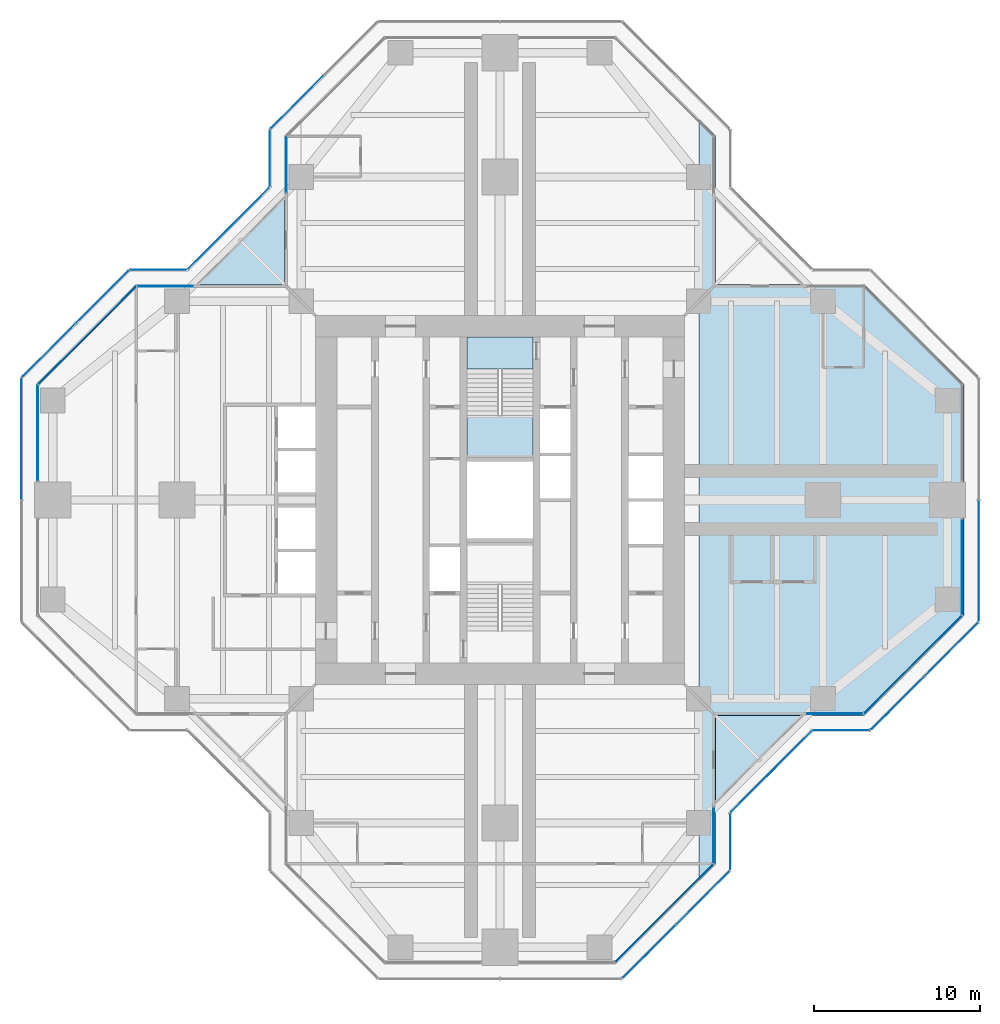
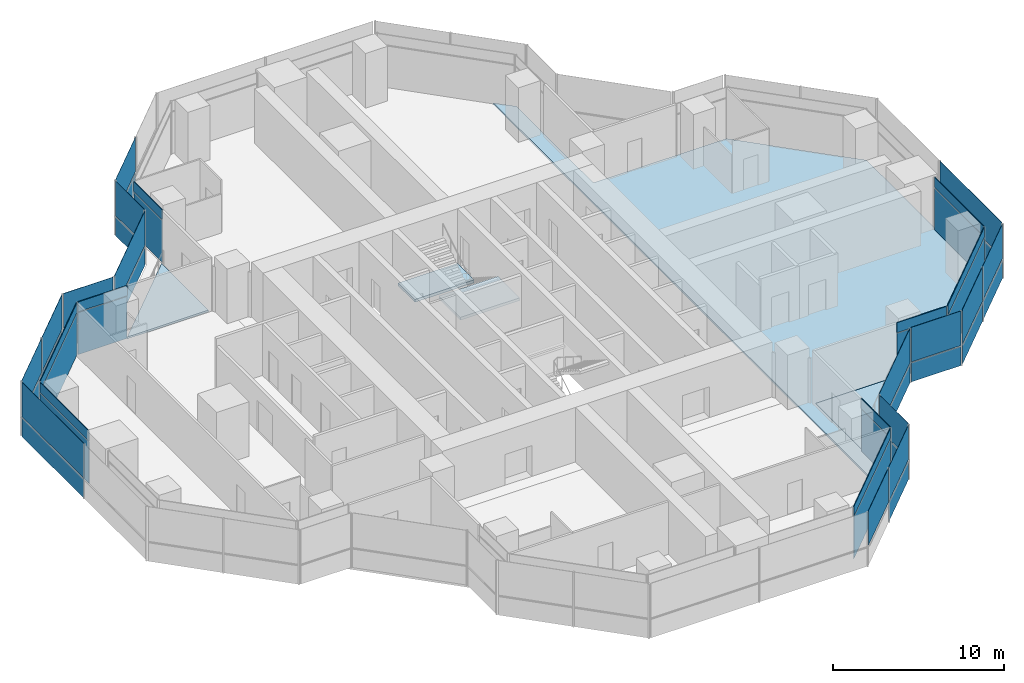
# One storey, part 11 of 17: 47 plates, 5 slabs, 22 elements without a shape of their own.
"""IFC4 building model written with IfcOpenShell, lengths in metres."""

from ifc_helpers import new_model, si_unit, direction, frame, origin, origin_2d, place, context, subcontext, project, spatial, polyline, rectangle, outline, extrude, material, layer, layer_set, type_object, element, aggregate, save


model = new_model("IFC4")

# Units and contexts
model_context = context("Model", 3, precision=1e-05, world=origin(), true_north=direction((0.0, 1.0)))
body_context = subcontext(model_context, "Body", "Model", "MODEL_VIEW")
ifc_project = project(units=[si_unit("LENGTHUNIT", "METRE"), si_unit("AREAUNIT", "SQUARE_METRE"), si_unit("VOLUMEUNIT", "CUBIC_METRE"), si_unit("PLANEANGLEUNIT", "RADIAN"), si_unit("MASSUNIT", "GRAM", prefix="KILO")], contexts=[model_context])

# Site, building, storey
site_placement = place(None, origin())
site = spatial("IfcSite", under=ifc_project, at=site_placement, CompositionType="ELEMENT")
building_placement = place(site_placement, origin())
building = spatial("IfcBuilding", under=site, at=building_placement, Name="Mizan Broadcast Tower", CompositionType="ELEMENT")
storey_placement = place(building_placement, frame((0.0, 0.0, 247.800048828125)))
storey = spatial("IfcBuildingStorey", under=building, at=storey_placement, Name="L58", CompositionType="ELEMENT", Elevation=247.800048828125)

# Slab
ifc_material_1 = material(Name="Concrete C32/40", Category="concrete")
ifc_layer_1 = layer(ifc_material_1, 0.1298828125)
ifc_layer_set_1 = layer_set([ifc_layer_1], Name="Concrete C32/40")
slab_type_1 = type_object("IfcSlabType", Name="COMPOSITE DECK SLAB 130", PredefinedType="FLOOR", material=ifc_layer_set_1)
slab_1_placement = place(storey_placement, frame((0.0, 0.0, -0.130126953125)))
element("IfcSlab", 1, at=slab_1_placement, inside=storey, type_object=slab_type_1, Name="Floor slab L58 east arm", PredefinedType="FLOOR", context=body_context, shape_type="SweptSolid", body=[
    extrude(outline(polyline([(13.0, 22.0), (12.0, 23.0), (12.0, -23.0), (13.0, -22.0), (13.0, -13.0), (22.0, -13.0), (28.0, -7.0), (28.0, 7.0), (22.0, 13.0), (13.0, 13.0), (13.0, 22.0)])), origin(), (0.0, 0.0, 1.0), 0.130126953125),
])

# Curtain wall, plate
ifc_material_2 = material(Name="Aluminium framed glazing", Category="aluminium")
curtain_wall_type_1 = type_object("IfcCurtainWallType", Name="INNER SKIN HIGH ZONE", PredefinedType="USERDEFINED", material=ifc_material_2)
curtain_wall_1_placement = place(storey_placement, origin())
curtain_wall_1 = element("IfcCurtainWall", 2, at=curtain_wall_1_placement, inside=storey, type_object=curtain_wall_type_1, Name="Inner skin high zone L58 E side", ObjectType="INNER SKIN HIGH ZONE", PredefinedType="USERDEFINED")
ifc_material_3 = material(Name="Double glazing, clear low-e", Category="glass")
ifc_layer_2 = layer(ifc_material_3, 0.028076171875)
ifc_layer_set_2 = layer_set([ifc_layer_2], Name="Double glazing, clear low-e")
plate_type_1 = type_object("IfcPlateType", Name="INNER SKIN GLAZING UNIT", PredefinedType="CURTAIN_PANEL", material=ifc_layer_set_2)
plate_1_placement = place(storey_placement, frame((20.229248046875, -12.89990234375, 0.0), z_axis=(0.0, 0.0, 1.0), x_axis=(1.0, 0.0, 0.0)))
plate_1 = element("IfcPlate", 3, at=plate_1_placement, type_object=plate_type_1, Name="Inner skin high zone L58 E side panel 1.1", PredefinedType="CURTAIN_PANEL", context=body_context, shape_type="SweptSolid", body=[
    extrude(rectangle(XDim=3.338623046875, YDim=0.028076171875, at=origin_2d()), origin(), (0.0, 0.0, 1.0), 3.0),
])

curtain_wall_2_placement = place(storey_placement, origin())
curtain_wall_2 = element("IfcCurtainWall", 4, at=curtain_wall_2_placement, inside=storey, type_object=curtain_wall_type_1, Name="Inner skin high zone L58 E chamfer", ObjectType="INNER SKIN HIGH ZONE", PredefinedType="USERDEFINED")
plate_2_placement = place(storey_placement, frame((24.92919921875, -9.92919921875, 0.0), z_axis=(0.0, 0.0, 1.0), x_axis=(0.707106781187, 0.707106781187, 0.0)))
plate_2 = element("IfcPlate", 5, at=plate_2_placement, type_object=plate_type_1, Name="Inner skin high zone L58 E chamfer panel 1.1", PredefinedType="CURTAIN_PANEL", context=body_context, shape_type="SweptSolid", body=[
    extrude(rectangle(XDim=8.282470703125, YDim=0.028076171875, at=origin_2d()), origin(), (0.0, 0.0, 1.0), 3.0),
])

curtain_wall_3_placement = place(storey_placement, origin())
curtain_wall_3 = element("IfcCurtainWall", 6, at=curtain_wall_3_placement, inside=storey, type_object=curtain_wall_type_1, Name="Inner skin high zone L58 E end", ObjectType="INNER SKIN HIGH ZONE", PredefinedType="USERDEFINED")
plate_3_placement = place(storey_placement, frame((27.89990234375, -4.029296875, 0.0), z_axis=(0.0, 0.0, 1.0), x_axis=(0.0, 1.0, 0.0)))
plate_3 = element("IfcPlate", 7, at=plate_3_placement, type_object=plate_type_1, Name="Inner skin high zone L58 E end panel 1.1", PredefinedType="CURTAIN_PANEL", context=body_context, shape_type="SweptSolid", body=[
    extrude(rectangle(XDim=5.738525390625, YDim=0.028076171875, at=origin_2d()), origin(), (0.0, 0.0, 1.0), 3.0),
])

curtain_wall_4_placement = place(storey_placement, origin())
curtain_wall_4 = element("IfcCurtainWall", 8, at=curtain_wall_4_placement, inside=storey, type_object=curtain_wall_type_1, Name="Inner skin high zone L58 N side", ObjectType="INNER SKIN HIGH ZONE", PredefinedType="USERDEFINED")
plate_4_placement = place(storey_placement, frame((-12.89990234375, 20.229248046875, 0.0), z_axis=(0.0, 0.0, 1.0), x_axis=(0.0, -1.0, 0.0)))
plate_4 = element("IfcPlate", 9, at=plate_4_placement, type_object=plate_type_1, Name="Inner skin high zone L58 N side panel 1.1", PredefinedType="CURTAIN_PANEL", context=body_context, shape_type="SweptSolid", body=[
    extrude(rectangle(XDim=3.338623046875, YDim=0.028076171875, at=origin_2d()), origin(), (0.0, 0.0, 1.0), 3.0),
])

curtain_wall_5_placement = place(storey_placement, origin())
curtain_wall_5 = element("IfcCurtainWall", 10, at=curtain_wall_5_placement, inside=storey, type_object=curtain_wall_type_1, Name="Inner skin high zone L58 W side", ObjectType="INNER SKIN HIGH ZONE", PredefinedType="USERDEFINED")
plate_5_placement = place(storey_placement, frame((-20.229248046875, 12.89990234375, 0.0), z_axis=(0.0, 0.0, 1.0), x_axis=(-1.0, 0.0, 0.0)))
plate_5 = element("IfcPlate", 11, at=plate_5_placement, type_object=plate_type_1, Name="Inner skin high zone L58 W side panel 1.1", PredefinedType="CURTAIN_PANEL", context=body_context, shape_type="SweptSolid", body=[
    extrude(rectangle(XDim=3.338623046875, YDim=0.028076171875, at=origin_2d()), origin(), (0.0, 0.0, 1.0), 3.0),
])

curtain_wall_6_placement = place(storey_placement, origin())
curtain_wall_6 = element("IfcCurtainWall", 12, at=curtain_wall_6_placement, inside=storey, type_object=curtain_wall_type_1, Name="Inner skin high zone L58 W chamfer", ObjectType="INNER SKIN HIGH ZONE", PredefinedType="USERDEFINED")
plate_6_placement = place(storey_placement, frame((-24.92919921875, 9.92919921875, 0.0), z_axis=(0.0, 0.0, 1.0), x_axis=(-0.707106781187, -0.707106781187, 0.0)))
plate_6 = element("IfcPlate", 13, at=plate_6_placement, type_object=plate_type_1, Name="Inner skin high zone L58 W chamfer panel 1.1", PredefinedType="CURTAIN_PANEL", context=body_context, shape_type="SweptSolid", body=[
    extrude(rectangle(XDim=8.282470703125, YDim=0.028076171875, at=origin_2d()), origin(), (0.0, 0.0, 1.0), 3.0),
])

curtain_wall_7_placement = place(storey_placement, origin())
curtain_wall_7 = element("IfcCurtainWall", 14, at=curtain_wall_7_placement, inside=storey, type_object=curtain_wall_type_1, Name="Inner skin high zone L58 W end", ObjectType="INNER SKIN HIGH ZONE", PredefinedType="USERDEFINED")
plate_7_placement = place(storey_placement, frame((-27.89990234375, 4.029296875, 0.0), z_axis=(0.0, 0.0, 1.0), x_axis=(0.0, -1.0, 0.0)))
plate_7 = element("IfcPlate", 15, at=plate_7_placement, type_object=plate_type_1, Name="Inner skin high zone L58 W end panel 1.1", PredefinedType="CURTAIN_PANEL", context=body_context, shape_type="SweptSolid", body=[
    extrude(rectangle(XDim=5.738525390625, YDim=0.028076171875, at=origin_2d()), origin(), (0.0, 0.0, 1.0), 3.0),
])

curtain_wall_8_placement = place(storey_placement, origin())
curtain_wall_8 = element("IfcCurtainWall", 16, at=curtain_wall_8_placement, inside=storey, type_object=curtain_wall_type_1, Name="Inner skin high zone L58 S chamfer", ObjectType="INNER SKIN HIGH ZONE", PredefinedType="USERDEFINED")
plate_8_placement = place(storey_placement, frame((9.92919921875, -24.92919921875, 0.0), z_axis=(0.0, 0.0, 1.0), x_axis=(0.707106781187, 0.707106781187, 0.0)))
plate_8 = element("IfcPlate", 17, at=plate_8_placement, type_object=plate_type_1, Name="Inner skin high zone L58 S chamfer panel 1.1", PredefinedType="CURTAIN_PANEL", context=body_context, shape_type="SweptSolid", body=[
    extrude(rectangle(XDim=8.282470703125, YDim=0.028076171875, at=origin_2d()), origin(), (0.0, 0.0, 1.0), 3.0),
])

curtain_wall_9_placement = place(storey_placement, origin())
curtain_wall_9 = element("IfcCurtainWall", 18, at=curtain_wall_9_placement, inside=storey, type_object=curtain_wall_type_1, Name="Inner skin high zone L58 S side", ObjectType="INNER SKIN HIGH ZONE", PredefinedType="USERDEFINED")
plate_9_placement = place(storey_placement, frame((12.89990234375, -20.229248046875, 0.0), z_axis=(0.0, 0.0, 1.0), x_axis=(0.0, 1.0, 0.0)))
plate_9 = element("IfcPlate", 19, at=plate_9_placement, type_object=plate_type_1, Name="Inner skin high zone L58 S side panel 1.1", PredefinedType="CURTAIN_PANEL", context=body_context, shape_type="SweptSolid", body=[
    extrude(rectangle(XDim=3.338623046875, YDim=0.028076171875, at=origin_2d()), origin(), (0.0, 0.0, 1.0), 3.0),
])

# Plate
ifc_material_4 = material(Name="Insulated aluminium spandrel panel, pale anodised", Category="aluminium")
ifc_layer_3 = layer(ifc_material_4, 0.050048828125)
ifc_layer_set_3 = layer_set([ifc_layer_3], Name="Insulated aluminium spandrel panel, pale anodised")
plate_type_2 = type_object("IfcPlateType", Name="INNER SKIN SPANDREL PANEL", PredefinedType="CURTAIN_PANEL", material=ifc_layer_set_3)
plate_10_placement = place(storey_placement, frame((20.229248046875, -12.89990234375, 3.06005859375), z_axis=(0.0, 0.0, 1.0), x_axis=(1.0, 0.0, 0.0)))
plate_10 = element("IfcPlate", 20, at=plate_10_placement, type_object=plate_type_2, Name="Inner skin high zone L58 E side panel 1.2", PredefinedType="CURTAIN_PANEL", context=body_context, shape_type="SweptSolid", body=[
    extrude(rectangle(XDim=3.338623046875, YDim=0.050048828125, at=origin_2d()), origin(), (0.0, 0.0, 1.0), 0.7099609375),
])

aggregate(curtain_wall_1, [plate_1, plate_10])

plate_11_placement = place(storey_placement, frame((24.92919921875, -9.92919921875, 3.06005859375), z_axis=(0.0, 0.0, 1.0), x_axis=(0.707106781187, 0.707106781187, 0.0)))
plate_11 = element("IfcPlate", 21, at=plate_11_placement, type_object=plate_type_2, Name="Inner skin high zone L58 E chamfer panel 1.2", PredefinedType="CURTAIN_PANEL", context=body_context, shape_type="SweptSolid", body=[
    extrude(rectangle(XDim=8.282470703125, YDim=0.050048828125, at=origin_2d()), origin(), (0.0, 0.0, 1.0), 0.7099609375),
])

aggregate(curtain_wall_2, [plate_2, plate_11])

plate_12_placement = place(storey_placement, frame((27.89990234375, -4.029296875, 3.06005859375), z_axis=(0.0, 0.0, 1.0), x_axis=(0.0, 1.0, 0.0)))
plate_12 = element("IfcPlate", 22, at=plate_12_placement, type_object=plate_type_2, Name="Inner skin high zone L58 E end panel 1.2", PredefinedType="CURTAIN_PANEL", context=body_context, shape_type="SweptSolid", body=[
    extrude(rectangle(XDim=5.738525390625, YDim=0.050048828125, at=origin_2d()), origin(), (0.0, 0.0, 1.0), 0.7099609375),
])

aggregate(curtain_wall_3, [plate_3, plate_12])

plate_13_placement = place(storey_placement, frame((-12.89990234375, 20.229248046875, 3.06005859375), z_axis=(0.0, 0.0, 1.0), x_axis=(0.0, -1.0, 0.0)))
plate_13 = element("IfcPlate", 23, at=plate_13_placement, type_object=plate_type_2, Name="Inner skin high zone L58 N side panel 1.2", PredefinedType="CURTAIN_PANEL", context=body_context, shape_type="SweptSolid", body=[
    extrude(rectangle(XDim=3.338623046875, YDim=0.050048828125, at=origin_2d()), origin(), (0.0, 0.0, 1.0), 0.7099609375),
])

aggregate(curtain_wall_4, [plate_4, plate_13])

plate_14_placement = place(storey_placement, frame((-20.229248046875, 12.89990234375, 3.06005859375), z_axis=(0.0, 0.0, 1.0), x_axis=(-1.0, 0.0, 0.0)))
plate_14 = element("IfcPlate", 24, at=plate_14_placement, type_object=plate_type_2, Name="Inner skin high zone L58 W side panel 1.2", PredefinedType="CURTAIN_PANEL", context=body_context, shape_type="SweptSolid", body=[
    extrude(rectangle(XDim=3.338623046875, YDim=0.050048828125, at=origin_2d()), origin(), (0.0, 0.0, 1.0), 0.7099609375),
])

aggregate(curtain_wall_5, [plate_5, plate_14])

plate_15_placement = place(storey_placement, frame((-24.92919921875, 9.92919921875, 3.06005859375), z_axis=(0.0, 0.0, 1.0), x_axis=(-0.707106781187, -0.707106781187, 0.0)))
plate_15 = element("IfcPlate", 25, at=plate_15_placement, type_object=plate_type_2, Name="Inner skin high zone L58 W chamfer panel 1.2", PredefinedType="CURTAIN_PANEL", context=body_context, shape_type="SweptSolid", body=[
    extrude(rectangle(XDim=8.282470703125, YDim=0.050048828125, at=origin_2d()), origin(), (0.0, 0.0, 1.0), 0.7099609375),
])

aggregate(curtain_wall_6, [plate_6, plate_15])

plate_16_placement = place(storey_placement, frame((-27.89990234375, 4.029296875, 3.06005859375), z_axis=(0.0, 0.0, 1.0), x_axis=(0.0, -1.0, 0.0)))
plate_16 = element("IfcPlate", 26, at=plate_16_placement, type_object=plate_type_2, Name="Inner skin high zone L58 W end panel 1.2", PredefinedType="CURTAIN_PANEL", context=body_context, shape_type="SweptSolid", body=[
    extrude(rectangle(XDim=5.738525390625, YDim=0.050048828125, at=origin_2d()), origin(), (0.0, 0.0, 1.0), 0.7099609375),
])

aggregate(curtain_wall_7, [plate_7, plate_16])

plate_17_placement = place(storey_placement, frame((9.92919921875, -24.92919921875, 3.06005859375), z_axis=(0.0, 0.0, 1.0), x_axis=(0.707106781187, 0.707106781187, 0.0)))
plate_17 = element("IfcPlate", 27, at=plate_17_placement, type_object=plate_type_2, Name="Inner skin high zone L58 S chamfer panel 1.2", PredefinedType="CURTAIN_PANEL", context=body_context, shape_type="SweptSolid", body=[
    extrude(rectangle(XDim=8.282470703125, YDim=0.050048828125, at=origin_2d()), origin(), (0.0, 0.0, 1.0), 0.7099609375),
])

aggregate(curtain_wall_8, [plate_8, plate_17])

plate_18_placement = place(storey_placement, frame((12.89990234375, -20.229248046875, 3.06005859375), z_axis=(0.0, 0.0, 1.0), x_axis=(0.0, 1.0, 0.0)))
plate_18 = element("IfcPlate", 28, at=plate_18_placement, type_object=plate_type_2, Name="Inner skin high zone L58 S side panel 1.2", PredefinedType="CURTAIN_PANEL", context=body_context, shape_type="SweptSolid", body=[
    extrude(rectangle(XDim=3.338623046875, YDim=0.050048828125, at=origin_2d()), origin(), (0.0, 0.0, 1.0), 0.7099609375),
])

aggregate(curtain_wall_9, [plate_9, plate_18])

# Curtain wall, plates
ifc_material_5 = material(Name="Aluminium framed glazing", Category="aluminium")
curtain_wall_type_2 = type_object("IfcCurtainWallType", Name="OUTER SKIN", PredefinedType="USERDEFINED", material=ifc_material_5)
curtain_wall_10_placement = place(storey_placement, origin())
curtain_wall_10 = element("IfcCurtainWall", 29, at=curtain_wall_10_placement, inside=storey, type_object=curtain_wall_type_2, Name="Outer skin L58 E chamfer", ObjectType="OUTER SKIN", PredefinedType="USERDEFINED")
ifc_material_6 = material(Name="Laminated clear glass", Category="glass")
ifc_layer_4 = layer(ifc_material_6, 0.02001953125)
ifc_layer_set_4 = layer_set([ifc_layer_4], Name="Laminated clear glass")
plate_type_3 = type_object("IfcPlateType", Name="OUTER SKIN CLEAR GLASS", PredefinedType="CURTAIN_PANEL", material=ifc_layer_set_4)
plate_19_placement = place(storey_placement, frame((24.018798828125, -12.254150390625, 0.0), z_axis=(0.0, 0.0, 1.0), x_axis=(0.707106781187, 0.707106781187, 0.0)))
plate_19 = element("IfcPlate", 30, at=plate_19_placement, type_object=plate_type_3, Name="Outer skin L58 E chamfer panel 1.1", PredefinedType="CURTAIN_PANEL", context=body_context, shape_type="SweptSolid", body=[
    extrude(rectangle(XDim=4.495361328125, YDim=0.02001953125, at=origin_2d()), origin(), (0.0, 0.0, 1.0), 1.3701171875),
])
plate_20_placement = place(storey_placement, frame((24.018798828125, -12.254150390625, 1.43017578125), z_axis=(0.0, 0.0, 1.0), x_axis=(0.707106781187, 0.707106781187, 0.0)))
plate_20 = element("IfcPlate", 31, at=plate_20_placement, type_object=plate_type_3, Name="Outer skin L58 E chamfer panel 1.2", PredefinedType="CURTAIN_PANEL", context=body_context, shape_type="SweptSolid", body=[
    extrude(rectangle(XDim=4.495361328125, YDim=0.02001953125, at=origin_2d()), origin(), (0.0, 0.0, 1.0), 2.469970703125),
])

curtain_wall_11_placement = place(storey_placement, origin())
curtain_wall_11 = element("IfcCurtainWall", 32, at=curtain_wall_11_placement, inside=storey, type_object=curtain_wall_type_2, Name="Outer skin L58 E end", ObjectType="OUTER SKIN", PredefinedType="USERDEFINED")
plate_21_placement = place(storey_placement, frame((28.89990234375, -3.66650390625, 0.0), z_axis=(0.0, 0.0, 1.0), x_axis=(0.0, 1.0, 0.0)))
plate_21 = element("IfcPlate", 33, at=plate_21_placement, type_object=plate_type_3, Name="Outer skin L58 E end panel 1.1", PredefinedType="CURTAIN_PANEL", context=body_context, shape_type="SweptSolid", body=[
    extrude(rectangle(XDim=7.252685546875, YDim=0.02001953125, at=origin_2d()), origin(), (0.0, 0.0, 1.0), 1.3701171875),
])
plate_22_placement = place(storey_placement, frame((28.89990234375, -3.66650390625, 1.43017578125), z_axis=(0.0, 0.0, 1.0), x_axis=(0.0, 1.0, 0.0)))
plate_22 = element("IfcPlate", 34, at=plate_22_placement, type_object=plate_type_3, Name="Outer skin L58 E end panel 1.2", PredefinedType="CURTAIN_PANEL", context=body_context, shape_type="SweptSolid", body=[
    extrude(rectangle(XDim=7.252685546875, YDim=0.02001953125, at=origin_2d()), origin(), (0.0, 0.0, 1.0), 2.469970703125),
])
aggregate(curtain_wall_11, [plate_21, plate_22])

curtain_wall_12_placement = place(storey_placement, origin())
curtain_wall_12 = element("IfcCurtainWall", 35, at=curtain_wall_12_placement, inside=storey, type_object=curtain_wall_type_2, Name="Outer skin L58 N side", ObjectType="OUTER SKIN", PredefinedType="USERDEFINED")
plate_23_placement = place(storey_placement, frame((-13.89990234375, 20.622802734375, 0.0), z_axis=(0.0, 0.0, 1.0), x_axis=(0.0, -1.0, 0.0)))
plate_23 = element("IfcPlate", 36, at=plate_23_placement, type_object=plate_type_3, Name="Outer skin L58 N side panel 1.1", PredefinedType="CURTAIN_PANEL", context=body_context, shape_type="SweptSolid", body=[
    extrude(rectangle(XDim=3.340087890625, YDim=0.02001953125, at=origin_2d()), origin(), (0.0, 0.0, 1.0), 1.3701171875),
])
plate_24_placement = place(storey_placement, frame((-13.89990234375, 20.622802734375, 1.43017578125), z_axis=(0.0, 0.0, 1.0), x_axis=(0.0, -1.0, 0.0)))
plate_24 = element("IfcPlate", 37, at=plate_24_placement, type_object=plate_type_3, Name="Outer skin L58 N side panel 1.2", PredefinedType="CURTAIN_PANEL", context=body_context, shape_type="SweptSolid", body=[
    extrude(rectangle(XDim=3.340087890625, YDim=0.02001953125, at=origin_2d()), origin(), (0.0, 0.0, 1.0), 2.469970703125),
])
aggregate(curtain_wall_12, [plate_23, plate_24])

curtain_wall_13_placement = place(storey_placement, origin())
curtain_wall_13 = element("IfcCurtainWall", 38, at=curtain_wall_13_placement, inside=storey, type_object=curtain_wall_type_2, Name="Outer skin L58 W chamfer", ObjectType="OUTER SKIN", PredefinedType="USERDEFINED")
plate_25_placement = place(storey_placement, frame((-16.386474609375, 16.386474609375, 0.0), z_axis=(0.0, 0.0, 1.0), x_axis=(-0.707106781187, -0.707106781187, 0.0)))
plate_25 = element("IfcPlate", 39, at=plate_25_placement, type_object=plate_type_3, Name="Outer skin L58 W chamfer panel 1.1", PredefinedType="CURTAIN_PANEL", context=body_context, shape_type="SweptSolid", body=[
    extrude(rectangle(XDim=6.87255859375, YDim=0.02001953125, at=origin_2d()), origin(), (0.0, 0.0, 1.0), 1.3701171875),
])
plate_26_placement = place(storey_placement, frame((-16.386474609375, 16.386474609375, 1.43017578125), z_axis=(0.0, 0.0, 1.0), x_axis=(-0.707106781187, -0.707106781187, 0.0)))
plate_26 = element("IfcPlate", 40, at=plate_26_placement, type_object=plate_type_3, Name="Outer skin L58 W chamfer panel 1.2", PredefinedType="CURTAIN_PANEL", context=body_context, shape_type="SweptSolid", body=[
    extrude(rectangle(XDim=6.87255859375, YDim=0.02001953125, at=origin_2d()), origin(), (0.0, 0.0, 1.0), 2.469970703125),
])
aggregate(curtain_wall_13, [plate_25, plate_26])

curtain_wall_14_placement = place(storey_placement, origin())
curtain_wall_14 = element("IfcCurtainWall", 41, at=curtain_wall_14_placement, inside=storey, type_object=curtain_wall_type_2, Name="Outer skin L58 W side", ObjectType="OUTER SKIN", PredefinedType="USERDEFINED")
plate_27_placement = place(storey_placement, frame((-20.622802734375, 13.89990234375, 0.0), z_axis=(0.0, 0.0, 1.0), x_axis=(-1.0, 0.0, 0.0)))
plate_27 = element("IfcPlate", 42, at=plate_27_placement, type_object=plate_type_3, Name="Outer skin L58 W side panel 1.1", PredefinedType="CURTAIN_PANEL", context=body_context, shape_type="SweptSolid", body=[
    extrude(rectangle(XDim=3.340087890625, YDim=0.02001953125, at=origin_2d()), origin(), (0.0, 0.0, 1.0), 1.3701171875),
])
plate_28_placement = place(storey_placement, frame((-20.622802734375, 13.89990234375, 1.43017578125), z_axis=(0.0, 0.0, 1.0), x_axis=(-1.0, 0.0, 0.0)))
plate_28 = element("IfcPlate", 43, at=plate_28_placement, type_object=plate_type_3, Name="Outer skin L58 W side panel 1.2", PredefinedType="CURTAIN_PANEL", context=body_context, shape_type="SweptSolid", body=[
    extrude(rectangle(XDim=3.340087890625, YDim=0.02001953125, at=origin_2d()), origin(), (0.0, 0.0, 1.0), 2.469970703125),
])
aggregate(curtain_wall_14, [plate_27, plate_28])

curtain_wall_15_placement = place(storey_placement, origin())
curtain_wall_15 = element("IfcCurtainWall", 44, at=curtain_wall_15_placement, inside=storey, type_object=curtain_wall_type_2, Name="Outer skin L58 W chamfer", ObjectType="OUTER SKIN", PredefinedType="USERDEFINED")
plate_29_placement = place(storey_placement, frame((-24.018798828125, 12.254150390625, 0.0), z_axis=(0.0, 0.0, 1.0), x_axis=(-0.707106781187, -0.707106781187, 0.0)))
plate_29 = element("IfcPlate", 45, at=plate_29_placement, type_object=plate_type_3, Name="Outer skin L58 W chamfer panel 1.1", PredefinedType="CURTAIN_PANEL", context=body_context, shape_type="SweptSolid", body=[
    extrude(rectangle(XDim=4.495361328125, YDim=0.02001953125, at=origin_2d()), origin(), (0.0, 0.0, 1.0), 1.3701171875),
])
plate_30_placement = place(storey_placement, frame((-24.018798828125, 12.254150390625, 1.43017578125), z_axis=(0.0, 0.0, 1.0), x_axis=(-0.707106781187, -0.707106781187, 0.0)))
plate_30 = element("IfcPlate", 46, at=plate_30_placement, type_object=plate_type_3, Name="Outer skin L58 W chamfer panel 1.2", PredefinedType="CURTAIN_PANEL", context=body_context, shape_type="SweptSolid", body=[
    extrude(rectangle(XDim=4.495361328125, YDim=0.02001953125, at=origin_2d()), origin(), (0.0, 0.0, 1.0), 2.469970703125),
])

curtain_wall_16_placement = place(storey_placement, origin())
curtain_wall_16 = element("IfcCurtainWall", 47, at=curtain_wall_16_placement, inside=storey, type_object=curtain_wall_type_2, Name="Outer skin L58 W end", ObjectType="OUTER SKIN", PredefinedType="USERDEFINED")
plate_31_placement = place(storey_placement, frame((-28.89990234375, 3.66650390625, 0.0), z_axis=(0.0, 0.0, 1.0), x_axis=(0.0, -1.0, 0.0)))
plate_31 = element("IfcPlate", 48, at=plate_31_placement, type_object=plate_type_3, Name="Outer skin L58 W end panel 1.1", PredefinedType="CURTAIN_PANEL", context=body_context, shape_type="SweptSolid", body=[
    extrude(rectangle(XDim=7.252685546875, YDim=0.02001953125, at=origin_2d()), origin(), (0.0, 0.0, 1.0), 1.3701171875),
])
plate_32_placement = place(storey_placement, frame((-28.89990234375, 3.66650390625, 1.43017578125), z_axis=(0.0, 0.0, 1.0), x_axis=(0.0, -1.0, 0.0)))
plate_32 = element("IfcPlate", 49, at=plate_32_placement, type_object=plate_type_3, Name="Outer skin L58 W end panel 1.2", PredefinedType="CURTAIN_PANEL", context=body_context, shape_type="SweptSolid", body=[
    extrude(rectangle(XDim=7.252685546875, YDim=0.02001953125, at=origin_2d()), origin(), (0.0, 0.0, 1.0), 2.469970703125),
])
aggregate(curtain_wall_16, [plate_31, plate_32])

# Curtain wall, plate
curtain_wall_17_placement = place(storey_placement, origin())
curtain_wall_17 = element("IfcCurtainWall", 50, at=curtain_wall_17_placement, inside=storey, type_object=curtain_wall_type_2, Name="Outer skin L58 S chamfer", ObjectType="OUTER SKIN", PredefinedType="USERDEFINED")
plate_33_placement = place(storey_placement, frame((9.018798828125, -27.254150390625, 1.43017578125), z_axis=(0.0, 0.0, 1.0), x_axis=(0.707106781187, 0.707106781187, 0.0)))
plate_33 = element("IfcPlate", 51, at=plate_33_placement, type_object=plate_type_3, Name="Outer skin L58 S chamfer panel 1.2", PredefinedType="CURTAIN_PANEL", context=body_context, shape_type="SweptSolid", body=[
    extrude(rectangle(XDim=4.495361328125, YDim=0.02001953125, at=origin_2d()), origin(), (0.0, 0.0, 1.0), 2.469970703125),
])

# Curtain wall, plates
curtain_wall_18_placement = place(storey_placement, origin())
curtain_wall_18 = element("IfcCurtainWall", 52, at=curtain_wall_18_placement, inside=storey, type_object=curtain_wall_type_2, Name="Outer skin L58 S side", ObjectType="OUTER SKIN", PredefinedType="USERDEFINED")
plate_34_placement = place(storey_placement, frame((13.89990234375, -20.622802734375, 0.0), z_axis=(0.0, 0.0, 1.0), x_axis=(0.0, 1.0, 0.0)))
plate_34 = element("IfcPlate", 53, at=plate_34_placement, type_object=plate_type_3, Name="Outer skin L58 S side panel 1.1", PredefinedType="CURTAIN_PANEL", context=body_context, shape_type="SweptSolid", body=[
    extrude(rectangle(XDim=3.340087890625, YDim=0.02001953125, at=origin_2d()), origin(), (0.0, 0.0, 1.0), 1.3701171875),
])
plate_35_placement = place(storey_placement, frame((13.89990234375, -20.622802734375, 1.43017578125), z_axis=(0.0, 0.0, 1.0), x_axis=(0.0, 1.0, 0.0)))
plate_35 = element("IfcPlate", 54, at=plate_35_placement, type_object=plate_type_3, Name="Outer skin L58 S side panel 1.2", PredefinedType="CURTAIN_PANEL", context=body_context, shape_type="SweptSolid", body=[
    extrude(rectangle(XDim=3.340087890625, YDim=0.02001953125, at=origin_2d()), origin(), (0.0, 0.0, 1.0), 2.469970703125),
])
aggregate(curtain_wall_18, [plate_34, plate_35])

curtain_wall_19_placement = place(storey_placement, origin())
curtain_wall_19 = element("IfcCurtainWall", 55, at=curtain_wall_19_placement, inside=storey, type_object=curtain_wall_type_2, Name="Outer skin L58 E chamfer", ObjectType="OUTER SKIN", PredefinedType="USERDEFINED")
plate_36_placement = place(storey_placement, frame((16.386474609375, -16.386474609375, 0.0), z_axis=(0.0, 0.0, 1.0), x_axis=(0.707106781187, 0.707106781187, 0.0)))
plate_36 = element("IfcPlate", 56, at=plate_36_placement, type_object=plate_type_3, Name="Outer skin L58 E chamfer panel 1.1", PredefinedType="CURTAIN_PANEL", context=body_context, shape_type="SweptSolid", body=[
    extrude(rectangle(XDim=6.87255859375, YDim=0.02001953125, at=origin_2d()), origin(), (0.0, 0.0, 1.0), 1.3701171875),
])
plate_37_placement = place(storey_placement, frame((16.386474609375, -16.386474609375, 1.43017578125), z_axis=(0.0, 0.0, 1.0), x_axis=(0.707106781187, 0.707106781187, 0.0)))
plate_37 = element("IfcPlate", 57, at=plate_37_placement, type_object=plate_type_3, Name="Outer skin L58 E chamfer panel 1.2", PredefinedType="CURTAIN_PANEL", context=body_context, shape_type="SweptSolid", body=[
    extrude(rectangle(XDim=6.87255859375, YDim=0.02001953125, at=origin_2d()), origin(), (0.0, 0.0, 1.0), 2.469970703125),
])
aggregate(curtain_wall_19, [plate_36, plate_37])

curtain_wall_20_placement = place(storey_placement, origin())
curtain_wall_20 = element("IfcCurtainWall", 58, at=curtain_wall_20_placement, inside=storey, type_object=curtain_wall_type_2, Name="Outer skin L58 E side", ObjectType="OUTER SKIN", PredefinedType="USERDEFINED")
plate_38_placement = place(storey_placement, frame((20.622802734375, -13.89990234375, 0.0), z_axis=(0.0, 0.0, 1.0), x_axis=(1.0, 0.0, 0.0)))
plate_38 = element("IfcPlate", 59, at=plate_38_placement, type_object=plate_type_3, Name="Outer skin L58 E side panel 1.1", PredefinedType="CURTAIN_PANEL", context=body_context, shape_type="SweptSolid", body=[
    extrude(rectangle(XDim=3.340087890625, YDim=0.02001953125, at=origin_2d()), origin(), (0.0, 0.0, 1.0), 1.3701171875),
])
plate_39_placement = place(storey_placement, frame((20.622802734375, -13.89990234375, 1.43017578125), z_axis=(0.0, 0.0, 1.0), x_axis=(1.0, 0.0, 0.0)))
plate_39 = element("IfcPlate", 60, at=plate_39_placement, type_object=plate_type_3, Name="Outer skin L58 E side panel 1.2", PredefinedType="CURTAIN_PANEL", context=body_context, shape_type="SweptSolid", body=[
    extrude(rectangle(XDim=3.340087890625, YDim=0.02001953125, at=origin_2d()), origin(), (0.0, 0.0, 1.0), 2.469970703125),
])
aggregate(curtain_wall_20, [plate_38, plate_39])

# Plate
ifc_material_7 = material(Name="Perforated aluminium, pale anodised", Category="aluminium")
ifc_layer_5 = layer(ifc_material_7, 0.011962890625)
ifc_layer_set_5 = layer_set([ifc_layer_5], Name="Perforated aluminium, pale anodised")
plate_type_4 = type_object("IfcPlateType", Name="OUTER SKIN PERFORATED SCREEN", PredefinedType="USERDEFINED", material=ifc_layer_set_5)
plate_40_placement = place(storey_placement, frame((27.254150390625, -9.018798828125, 0.0), z_axis=(0.0, 0.0, 1.0), x_axis=(0.707106781187, 0.707106781187, 0.0)))
plate_40 = element("IfcPlate", 61, at=plate_40_placement, type_object=plate_type_4, Name="Outer skin L58 E chamfer panel 2.1", ObjectType="SCREEN", PredefinedType="USERDEFINED", context=body_context, shape_type="SweptSolid", body=[
    extrude(rectangle(XDim=4.495361328125, YDim=0.011962890625, at=origin_2d()), origin(), (0.0, 0.0, 1.0), 1.3701171875),
])

plate_41_placement = place(storey_placement, frame((27.254150390625, -9.018798828125, 1.43017578125), z_axis=(0.0, 0.0, 1.0), x_axis=(0.707106781187, 0.707106781187, 0.0)))
plate_41 = element("IfcPlate", 62, at=plate_41_placement, type_object=plate_type_4, Name="Outer skin L58 E chamfer panel 2.2", ObjectType="SCREEN", PredefinedType="USERDEFINED", context=body_context, shape_type="SweptSolid", body=[
    extrude(rectangle(XDim=4.495361328125, YDim=0.011962890625, at=origin_2d()), origin(), (0.0, 0.0, 1.0), 2.469970703125),
])

aggregate(curtain_wall_10, [plate_19, plate_20, plate_40, plate_41])

# Curtain wall, plates
curtain_wall_21_placement = place(storey_placement, origin())
curtain_wall_21 = element("IfcCurtainWall", 63, at=curtain_wall_21_placement, inside=storey, type_object=curtain_wall_type_2, Name="Outer skin L58 N chamfer", ObjectType="OUTER SKIN", PredefinedType="USERDEFINED")
plate_42_placement = place(storey_placement, frame((-12.254150390625, 24.018798828125, 0.0), z_axis=(0.0, 0.0, 1.0), x_axis=(-0.707106781187, -0.707106781187, 0.0)))
plate_42 = element("IfcPlate", 64, at=plate_42_placement, type_object=plate_type_4, Name="Outer skin L58 N chamfer panel 2.1", ObjectType="SCREEN", PredefinedType="USERDEFINED", context=body_context, shape_type="SweptSolid", body=[
    extrude(rectangle(XDim=4.495361328125, YDim=0.011962890625, at=origin_2d()), origin(), (0.0, 0.0, 1.0), 1.3701171875),
])
plate_43_placement = place(storey_placement, frame((-12.254150390625, 24.018798828125, 1.43017578125), z_axis=(0.0, 0.0, 1.0), x_axis=(-0.707106781187, -0.707106781187, 0.0)))
plate_43 = element("IfcPlate", 65, at=plate_43_placement, type_object=plate_type_4, Name="Outer skin L58 N chamfer panel 2.2", ObjectType="SCREEN", PredefinedType="USERDEFINED", context=body_context, shape_type="SweptSolid", body=[
    extrude(rectangle(XDim=4.495361328125, YDim=0.011962890625, at=origin_2d()), origin(), (0.0, 0.0, 1.0), 2.469970703125),
])
aggregate(curtain_wall_21, [plate_42, plate_43])

# Plate
plate_44_placement = place(storey_placement, frame((-27.254150390625, 9.018798828125, 0.0), z_axis=(0.0, 0.0, 1.0), x_axis=(-0.707106781187, -0.707106781187, 0.0)))
plate_44 = element("IfcPlate", 66, at=plate_44_placement, type_object=plate_type_4, Name="Outer skin L58 W chamfer panel 2.1", ObjectType="SCREEN", PredefinedType="USERDEFINED", context=body_context, shape_type="SweptSolid", body=[
    extrude(rectangle(XDim=4.495361328125, YDim=0.011962890625, at=origin_2d()), origin(), (0.0, 0.0, 1.0), 1.3701171875),
])

plate_45_placement = place(storey_placement, frame((-27.254150390625, 9.018798828125, 1.43017578125), z_axis=(0.0, 0.0, 1.0), x_axis=(-0.707106781187, -0.707106781187, 0.0)))
plate_45 = element("IfcPlate", 67, at=plate_45_placement, type_object=plate_type_4, Name="Outer skin L58 W chamfer panel 2.2", ObjectType="SCREEN", PredefinedType="USERDEFINED", context=body_context, shape_type="SweptSolid", body=[
    extrude(rectangle(XDim=4.495361328125, YDim=0.011962890625, at=origin_2d()), origin(), (0.0, 0.0, 1.0), 2.469970703125),
])

aggregate(curtain_wall_15, [plate_29, plate_30, plate_44, plate_45])

plate_46_placement = place(storey_placement, frame((12.254150390625, -24.018798828125, 0.0), z_axis=(0.0, 0.0, 1.0), x_axis=(0.707106781187, 0.707106781187, 0.0)))
plate_46 = element("IfcPlate", 68, at=plate_46_placement, type_object=plate_type_4, Name="Outer skin L58 S chamfer panel 2.1", ObjectType="SCREEN", PredefinedType="USERDEFINED", context=body_context, shape_type="SweptSolid", body=[
    extrude(rectangle(XDim=4.495361328125, YDim=0.011962890625, at=origin_2d()), origin(), (0.0, 0.0, 1.0), 1.3701171875),
])

plate_47_placement = place(storey_placement, frame((12.254150390625, -24.018798828125, 1.43017578125), z_axis=(0.0, 0.0, 1.0), x_axis=(0.707106781187, 0.707106781187, 0.0)))
plate_47 = element("IfcPlate", 69, at=plate_47_placement, type_object=plate_type_4, Name="Outer skin L58 S chamfer panel 2.2", ObjectType="SCREEN", PredefinedType="USERDEFINED", context=body_context, shape_type="SweptSolid", body=[
    extrude(rectangle(XDim=4.495361328125, YDim=0.011962890625, at=origin_2d()), origin(), (0.0, 0.0, 1.0), 2.469970703125),
])

aggregate(curtain_wall_17, [plate_33, plate_46, plate_47])

# Stair, slabs
ifc_material_8 = material(Name="Concrete C40/50", Category="concrete")
stair_type = type_object("IfcStairType", Name="EXIT STAIR", PredefinedType="HALF_TURN_STAIR", material=ifc_material_8)
stair_placement = place(storey_placement, origin())
stair = element("IfcStair", 70, at=stair_placement, inside=storey, type_object=stair_type, Name="Stair B L58", PredefinedType="HALF_TURN_STAIR")
ifc_material_9 = material(Name="Concrete C40/50", Category="concrete")
ifc_layer_6 = layer(ifc_material_9, 0.199951171875)
ifc_layer_set_6 = layer_set([ifc_layer_6], Name="Concrete C40/50")
slab_type_2 = type_object("IfcSlabType", Name="STAIR LANDING 200", PredefinedType="LANDING", material=ifc_layer_set_6)
slab_2_placement = place(storey_placement, frame((0.0, 0.0, -0.199951171875)))
slab_2 = element("IfcSlab", 71, at=slab_2_placement, type_object=slab_type_2, Name="B landing 1", PredefinedType="LANDING", context=body_context, shape_type="SweptSolid", body=[
    extrude(outline(polyline([(2.0, 9.85009765625), (2.0, 7.89990234375), (-2.0, 7.89990234375), (-2.0, 9.85009765625), (2.0, 9.85009765625)])), origin(), (0.0, 0.0, 1.0), 0.199951171875),
])
slab_3_placement = place(storey_placement, frame((0.0, 0.0, 1.75)))
slab_3 = element("IfcSlab", 72, at=slab_3_placement, type_object=slab_type_2, Name="B landing 2", PredefinedType="LANDING", context=body_context, shape_type="SweptSolid", body=[
    extrude(outline(polyline([(2.0, 5.10009765625), (2.0, 2.574951171875), (-2.0, 2.574951171875), (-2.0, 5.10009765625), (2.0, 5.10009765625)])), origin(), (0.0, 0.0, 1.0), 0.199951171875),
])
aggregate(stair, [slab_2, slab_3])

# Slabs
ifc_material_10 = material(Name="Concrete C32/40", Category="concrete")
ifc_layer_7 = layer(ifc_material_10, 0.1298828125)
ifc_layer_set_7 = layer_set([ifc_layer_7], Name="Concrete C32/40")
slab_type_3 = type_object("IfcSlabType", Name="WINTER GARDEN SLAB 130", PredefinedType="FLOOR", material=ifc_layer_set_7)
slab_4_placement = place(storey_placement, frame((0.0, 0.0, -0.130126953125)))
element("IfcSlab", 73, at=slab_4_placement, inside=storey, type_object=slab_type_3, Name="Winter garden slab L58 N", PredefinedType="FLOOR", context=body_context, shape_type="SweptSolid", body=[
    extrude(outline(polyline([(-13.0, 13.0), (-13.0, 18.5), (-18.5, 13.0), (-13.0, 13.0)])), origin(), (0.0, 0.0, 1.0), 0.130126953125),
])
slab_5_placement = place(storey_placement, frame((0.0, 0.0, -0.130126953125)))
element("IfcSlab", 74, at=slab_5_placement, inside=storey, type_object=slab_type_3, Name="Winter garden slab L58 S", PredefinedType="FLOOR", context=body_context, shape_type="SweptSolid", body=[
    extrude(outline(polyline([(13.0, -13.0), (13.0, -18.5), (18.5, -13.0), (13.0, -13.0)])), origin(), (0.0, 0.0, 1.0), 0.130126953125),
])

save(model, "model.ifc")
